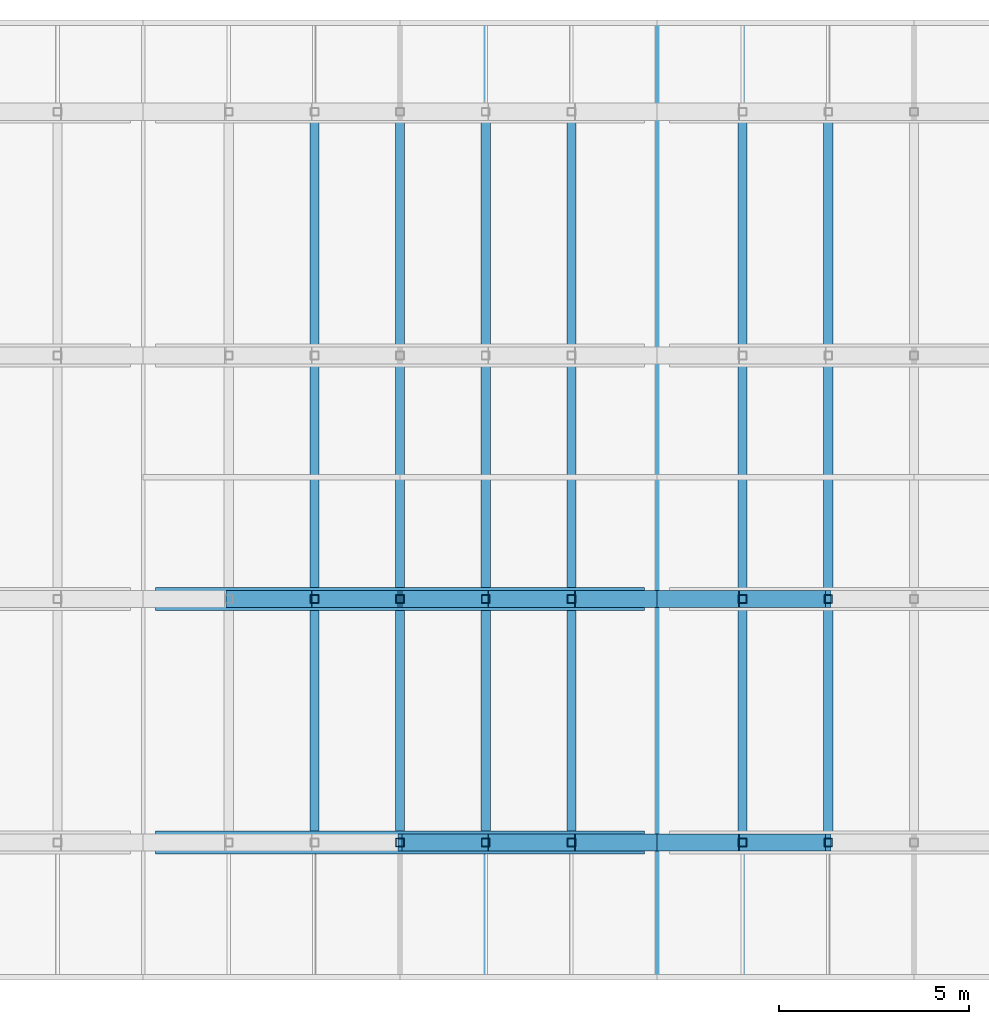
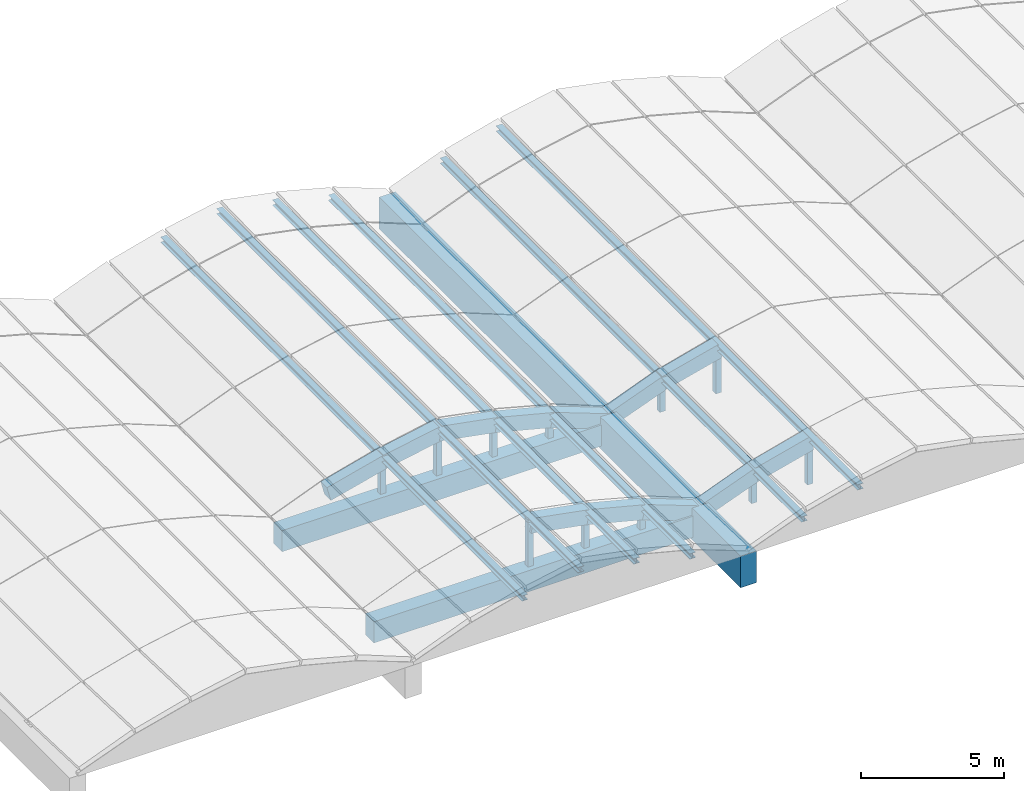
# One storey, part 2 of 15: 17 members, 15 beams.
"""IFC4 building model written with IfcOpenShell, lengths in metres."""

from ifc_helpers import new_model, si_unit, direction, frame, origin, origin_2d, place, context, subcontext, project, spatial, rectangle, hollow_rectangle, i_section, extrude, material, material_profile, profile_set, type_object, element, save


model = new_model("IFC4")

# Units and contexts
model_context = context("Model", 3, precision=1e-05, world=origin(), true_north=direction((0.0, 1.0)))
body_context = subcontext(model_context, "Body", "Model", "MODEL_VIEW")
ifc_project = project(units=[si_unit("LENGTHUNIT", "METRE"), si_unit("AREAUNIT", "SQUARE_METRE"), si_unit("VOLUMEUNIT", "CUBIC_METRE"), si_unit("PLANEANGLEUNIT", "RADIAN"), si_unit("MASSUNIT", "GRAM", prefix="KILO")], contexts=[model_context])

# Site, building, storey
site_placement = place(None, origin())
site = spatial("IfcSite", under=ifc_project, at=site_placement, CompositionType="ELEMENT")
building_placement = place(site_placement, origin())
building = spatial("IfcBuilding", under=site, at=building_placement, Name="Fikremerkos Civic Library", CompositionType="ELEMENT")
storey_placement = place(building_placement, frame((0.0, 0.0, 27.89990234375)))
storey = spatial("IfcBuildingStorey", under=building, at=storey_placement, Name="RF", CompositionType="ELEMENT", Elevation=27.89990234375)

# Members
ifc_material_1 = material(Name="Steel S355", Category="steel")
ifc_material_profile_1 = material_profile(ifc_material_1, hollow_rectangle(XDim=0.219970703125, YDim=0.219970703125, WallThickness=0.012451171875, at=origin_2d()), Name="SHS 220x220x12.5")
ifc_profile_set_1 = profile_set([ifc_material_profile_1], Name="Steel S355")
member_type_1 = type_object("IfcMemberType", Name="Frame post PST-04 SHS 220x220x12.5", PredefinedType="POST", material=ifc_profile_set_1)
member_1_placement = place(storey_placement, frame((39.449951171875, 12.0, -0.75), z_axis=(0.0, 0.0, 1.0), x_axis=(1.0, 0.0, 0.0)))
element("IfcMember", 1, at=member_1_placement, inside=storey, type_object=member_type_1, Name="Vault tied-arch web post PST-04 V2 R1.3", PredefinedType="POST", context=body_context, shape_type="SweptSolid", body=[
    extrude(hollow_rectangle(XDim=0.219970703125, YDim=0.219970703125, WallThickness=0.012451171875, at=origin_2d()), origin(), (0.0, 0.0, 1.0), 2.43408203125),
])
member_2_placement = place(storey_placement, frame((41.699951171875, 12.0, -0.75), z_axis=(0.0, 0.0, 1.0), x_axis=(1.0, 0.0, 0.0)))
element("IfcMember", 2, at=member_2_placement, inside=storey, type_object=member_type_1, Name="Vault tied-arch web post PST-04 V2 R1.4", PredefinedType="POST", context=body_context, shape_type="SweptSolid", body=[
    extrude(hollow_rectangle(XDim=0.219970703125, YDim=0.219970703125, WallThickness=0.012451171875, at=origin_2d()), origin(), (0.0, 0.0, 1.0), 2.01416015625),
])
member_3_placement = place(storey_placement, frame((43.949951171875, 12.0, -0.75), z_axis=(0.0, 0.0, 1.0), x_axis=(1.0, 0.0, 0.0)))
element("IfcMember", 3, at=member_3_placement, inside=storey, type_object=member_type_1, Name="Vault tied-arch web post PST-04 V2 R1.5", PredefinedType="POST", context=body_context, shape_type="SweptSolid", body=[
    extrude(hollow_rectangle(XDim=0.219970703125, YDim=0.219970703125, WallThickness=0.012451171875, at=origin_2d()), origin(), (0.0, 0.0, 1.0), 1.43603515625),
])
member_4_placement = place(storey_placement, frame((37.199951171875, 18.39990234375, -0.75), z_axis=(0.0, 0.0, 1.0), x_axis=(1.0, 0.0, 0.0)))
element("IfcMember", 4, at=member_4_placement, inside=storey, type_object=member_type_1, Name="Vault tied-arch web post PST-04 V2 R2.2", PredefinedType="POST", context=body_context, shape_type="SweptSolid", body=[
    extrude(hollow_rectangle(XDim=0.219970703125, YDim=0.219970703125, WallThickness=0.012451171875, at=origin_2d()), origin(), (0.0, 0.0, 1.0), 2.05419921875),
])
member_5_placement = place(storey_placement, frame((39.449951171875, 18.39990234375, -0.75), z_axis=(0.0, 0.0, 1.0), x_axis=(1.0, 0.0, 0.0)))
element("IfcMember", 5, at=member_5_placement, inside=storey, type_object=member_type_1, Name="Vault tied-arch web post PST-04 V2 R2.3", PredefinedType="POST", context=body_context, shape_type="SweptSolid", body=[
    extrude(hollow_rectangle(XDim=0.219970703125, YDim=0.219970703125, WallThickness=0.012451171875, at=origin_2d()), origin(), (0.0, 0.0, 1.0), 2.47412109375),
])
member_6_placement = place(storey_placement, frame((41.699951171875, 18.39990234375, -0.75), z_axis=(0.0, 0.0, 1.0), x_axis=(1.0, 0.0, 0.0)))
element("IfcMember", 6, at=member_6_placement, inside=storey, type_object=member_type_1, Name="Vault tied-arch web post PST-04 V2 R2.4", PredefinedType="POST", context=body_context, shape_type="SweptSolid", body=[
    extrude(hollow_rectangle(XDim=0.219970703125, YDim=0.219970703125, WallThickness=0.012451171875, at=origin_2d()), origin(), (0.0, 0.0, 1.0), 2.05419921875),
])
member_7_placement = place(storey_placement, frame((43.949951171875, 18.39990234375, -0.75), z_axis=(0.0, 0.0, 1.0), x_axis=(1.0, 0.0, 0.0)))
element("IfcMember", 7, at=member_7_placement, inside=storey, type_object=member_type_1, Name="Vault tied-arch web post PST-04 V2 R2.5", PredefinedType="POST", context=body_context, shape_type="SweptSolid", body=[
    extrude(hollow_rectangle(XDim=0.219970703125, YDim=0.219970703125, WallThickness=0.012451171875, at=origin_2d()), origin(), (0.0, 0.0, 1.0), 1.47607421875),
])
member_8_placement = place(storey_placement, frame((48.449951171875, 12.0, -0.75), z_axis=(0.0, 0.0, 1.0), x_axis=(1.0, 0.0, 0.0)))
element("IfcMember", 8, at=member_8_placement, inside=storey, type_object=member_type_1, Name="Vault tied-arch web post PST-04 V3 R1.1", PredefinedType="POST", context=body_context, shape_type="SweptSolid", body=[
    extrude(hollow_rectangle(XDim=0.219970703125, YDim=0.219970703125, WallThickness=0.012451171875, at=origin_2d()), origin(), (0.0, 0.0, 1.0), 1.43603515625),
])
member_9_placement = place(storey_placement, frame((50.699951171875, 12.0, -0.75), z_axis=(0.0, 0.0, 1.0), x_axis=(1.0, 0.0, 0.0)))
element("IfcMember", 9, at=member_9_placement, inside=storey, type_object=member_type_1, Name="Vault tied-arch web post PST-04 V3 R1.2", PredefinedType="POST", context=body_context, shape_type="SweptSolid", body=[
    extrude(hollow_rectangle(XDim=0.219970703125, YDim=0.219970703125, WallThickness=0.012451171875, at=origin_2d()), origin(), (0.0, 0.0, 1.0), 2.01416015625),
])
member_10_placement = place(storey_placement, frame((48.449951171875, 18.39990234375, -0.75), z_axis=(0.0, 0.0, 1.0), x_axis=(1.0, 0.0, 0.0)))
element("IfcMember", 10, at=member_10_placement, inside=storey, type_object=member_type_1, Name="Vault tied-arch web post PST-04 V3 R2.1", PredefinedType="POST", context=body_context, shape_type="SweptSolid", body=[
    extrude(hollow_rectangle(XDim=0.219970703125, YDim=0.219970703125, WallThickness=0.012451171875, at=origin_2d()), origin(), (0.0, 0.0, 1.0), 1.47607421875),
])
member_11_placement = place(storey_placement, frame((50.699951171875, 18.39990234375, -0.75), z_axis=(0.0, 0.0, 1.0), x_axis=(1.0, 0.0, 0.0)))
element("IfcMember", 11, at=member_11_placement, inside=storey, type_object=member_type_1, Name="Vault tied-arch web post PST-04 V3 R2.2", PredefinedType="POST", context=body_context, shape_type="SweptSolid", body=[
    extrude(hollow_rectangle(XDim=0.219970703125, YDim=0.219970703125, WallThickness=0.012451171875, at=origin_2d()), origin(), (0.0, 0.0, 1.0), 2.05419921875),
])

# Beams
ifc_material_2 = material(Name="Concrete C45/55", Category="concrete")
ifc_material_profile_2 = material_profile(ifc_material_2, rectangle(XDim=0.449951171875, YDim=0.6201171875, at=origin_2d()), Name="RC 450x620")
ifc_profile_set_2 = profile_set([ifc_material_profile_2], Name="Concrete C45/55")
beam_type_1 = type_object("IfcBeamType", Name="Primary girder vault arch rib BM-10 RC 450x620", PredefinedType="BEAM", material=ifc_profile_set_2)
beam_1_placement = place(storey_placement, frame((39.449951171875, 12.0, 1.494140625), z_axis=(0.983026405145, 0.0, -0.183464129432), x_axis=(0.0, 1.0, 0.0)))
element("IfcBeam", 12, at=beam_1_placement, inside=storey, type_object=beam_type_1, Name="Concrete vault arch rib BM-10 V2 R1.4", PredefinedType="BEAM", context=body_context, shape_type="SweptSolid", body=[
    extrude(rectangle(XDim=0.449951171875, YDim=0.6201171875, at=origin_2d()), origin(), (0.0, 0.0, 1.0), 2.288818359375),
])
beam_2_placement = place(storey_placement, frame((41.699951171875, 12.0, 1.07421875), z_axis=(0.968539266286, 0.0, -0.248860783698), x_axis=(0.0, 1.0, 0.0)))
element("IfcBeam", 13, at=beam_2_placement, inside=storey, type_object=beam_type_1, Name="Concrete vault arch rib BM-10 V2 R1.5", PredefinedType="BEAM", context=body_context, shape_type="SweptSolid", body=[
    extrude(rectangle(XDim=0.449951171875, YDim=0.6201171875, at=origin_2d()), origin(), (0.0, 0.0, 1.0), 2.322998046875),
])
beam_3_placement = place(storey_placement, frame((43.949951171875, 12.0, 0.49609375), z_axis=(0.936028311828, 0.0, -0.351924707084), x_axis=(0.0, 1.0, 0.0)))
element("IfcBeam", 14, at=beam_3_placement, inside=storey, type_object=beam_type_1, Name="Concrete vault arch rib BM-10 V2 R1.6", PredefinedType="BEAM", context=body_context, shape_type="SweptSolid", body=[
    extrude(rectangle(XDim=0.449951171875, YDim=0.6201171875, at=origin_2d()), origin(), (0.0, 0.0, 1.0), 2.40380859375),
])
beam_4_placement = place(storey_placement, frame((34.949951171875, 18.39990234375, 0.5361328125), z_axis=(0.968564592705, 0.0, 0.248762195197), x_axis=(0.0, 1.0, 0.0)))
element("IfcBeam", 15, at=beam_4_placement, inside=storey, type_object=beam_type_1, Name="Concrete vault arch rib BM-10 V2 R2.2", PredefinedType="BEAM", context=body_context, shape_type="SweptSolid", body=[
    extrude(rectangle(XDim=0.449951171875, YDim=0.6201171875, at=origin_2d()), origin(), (0.0, 0.0, 1.0), 2.322998046875),
])
for number, where, z_axis, x_axis, name in (
    (16, (37.199951171875, 18.39990234375, 1.114013671875), (0.983007163041, 0.0, 0.183567201345), (0.0, 1.0, 0.0), "Concrete vault arch rib BM-10 V2 R2.3"),
    (17, (39.449951171875, 18.39990234375, 1.5341796875), (0.983007163041, 0.0, -0.183567201345), (0.0, 1.0, 0.0), "Concrete vault arch rib BM-10 V2 R2.4"),
):
    element("IfcBeam", number, at=place(storey_placement, frame(where, z_axis=z_axis, x_axis=x_axis)), inside=storey, type_object=beam_type_1, Name=name, PredefinedType="BEAM", context=body_context, shape_type="SweptSolid", body=[
        extrude(rectangle(XDim=0.449951171875, YDim=0.6201171875, at=origin_2d()), origin(), (0.0, 0.0, 1.0), 2.288818359375),
    ])
beam_5_placement = place(storey_placement, frame((41.699951171875, 18.39990234375, 1.114013671875), z_axis=(0.968564592705, 0.0, -0.248762195197), x_axis=(0.0, 1.0, 0.0)))
element("IfcBeam", 18, at=beam_5_placement, inside=storey, type_object=beam_type_1, Name="Concrete vault arch rib BM-10 V2 R2.5", PredefinedType="BEAM", context=body_context, shape_type="SweptSolid", body=[
    extrude(rectangle(XDim=0.449951171875, YDim=0.6201171875, at=origin_2d()), origin(), (0.0, 0.0, 1.0), 2.322998046875),
])
for number, where, z_axis, x_axis, name in (
    (19, (43.949951171875, 18.39990234375, 0.5361328125), (0.936028311828, 0.0, -0.351924707084), (0.0, 1.0, 0.0), "Concrete vault arch rib BM-10 V2 R2.6"),
    (20, (46.199951171875, 12.0, -0.349853515625), (0.936028311828, 0.0, 0.351924707084), (0.0, 1.0, 0.0), "Concrete vault arch rib BM-10 V3 R1.1"),
):
    element("IfcBeam", number, at=place(storey_placement, frame(where, z_axis=z_axis, x_axis=x_axis)), inside=storey, type_object=beam_type_1, Name=name, PredefinedType="BEAM", context=body_context, shape_type="SweptSolid", body=[
        extrude(rectangle(XDim=0.449951171875, YDim=0.6201171875, at=origin_2d()), origin(), (0.0, 0.0, 1.0), 2.40380859375),
    ])
beam_6_placement = place(storey_placement, frame((48.449951171875, 12.0, 0.49609375), z_axis=(0.968539266286, 0.0, 0.248860783698), x_axis=(0.0, 1.0, 0.0)))
element("IfcBeam", 21, at=beam_6_placement, inside=storey, type_object=beam_type_1, Name="Concrete vault arch rib BM-10 V3 R1.2", PredefinedType="BEAM", context=body_context, shape_type="SweptSolid", body=[
    extrude(rectangle(XDim=0.449951171875, YDim=0.6201171875, at=origin_2d()), origin(), (0.0, 0.0, 1.0), 2.322998046875),
])
beam_7_placement = place(storey_placement, frame((46.199951171875, 18.39990234375, -0.309814453125), z_axis=(0.936028311828, 0.0, 0.351924707084), x_axis=(0.0, 1.0, 0.0)))
element("IfcBeam", 22, at=beam_7_placement, inside=storey, type_object=beam_type_1, Name="Concrete vault arch rib BM-10 V3 R2.1", PredefinedType="BEAM", context=body_context, shape_type="SweptSolid", body=[
    extrude(rectangle(XDim=0.449951171875, YDim=0.6201171875, at=origin_2d()), origin(), (0.0, 0.0, 1.0), 2.40380859375),
])
beam_8_placement = place(storey_placement, frame((48.449951171875, 18.39990234375, 0.5361328125), z_axis=(0.968564592705, 0.0, 0.248762195197), x_axis=(0.0, 1.0, 0.0)))
element("IfcBeam", 23, at=beam_8_placement, inside=storey, type_object=beam_type_1, Name="Concrete vault arch rib BM-10 V3 R2.2", PredefinedType="BEAM", context=body_context, shape_type="SweptSolid", body=[
    extrude(rectangle(XDim=0.449951171875, YDim=0.6201171875, at=origin_2d()), origin(), (0.0, 0.0, 1.0), 2.322998046875),
])
ifc_material_profile_3 = material_profile(ifc_material_2, rectangle(XDim=0.60009765625, YDim=0.89990234375, at=origin_2d()), Name="RC 600x900")
ifc_profile_set_3 = profile_set([ifc_material_profile_3], Name="Concrete C45/55")
beam_type_2 = type_object("IfcBeamType", Name="Primary girder vault tie ring BM-09 RC 600x900", PredefinedType="BEAM", material=ifc_profile_set_3)
for number, where, z_axis, x_axis, name in (
    (24, (33.02490234375, 12.0, -0.75), (1.0, 0.0, 0.0), (0.0, 1.0, 0.0), "Vault springing tie ring beam BM-09 V2 #1"),
    (25, (33.02490234375, 18.39990234375, -0.75), (1.0, 0.0, 0.0), (0.0, 1.0, 0.0), "Vault springing tie ring beam BM-09 V2 #2"),
):
    element("IfcBeam", number, at=place(storey_placement, frame(where, z_axis=z_axis, x_axis=x_axis)), inside=storey, type_object=beam_type_2, Name=name, PredefinedType="BEAM", context=body_context, shape_type="SweptSolid", body=[
        extrude(rectangle(XDim=0.60009765625, YDim=0.89990234375, at=origin_2d()), origin(), (0.0, 0.0, 1.0), 12.85009765625),
    ])

# Members
ifc_material_profile_4 = material_profile(ifc_material_1, i_section(OverallWidth=0.239990234375, OverallDepth=0.22998046875, WebThickness=0.007568359375, FlangeThickness=0.011962890625, FilletRadius=0.02099609375, at=origin_2d()), Name="HEA 240")
ifc_profile_set_4 = profile_set([ifc_material_profile_4], Name="Steel S355")
member_type_2 = type_object("IfcMemberType", Name="Roof purlin PUR-06 HEA 240", PredefinedType="PURLIN", material=ifc_profile_set_4)
for number, where, z_axis, x_axis, name in (
    (26, (37.199951171875, 8.39990234375, 1.26904296875), (0.0, 1.0, 0.0), (-1.0, 0.0, 0.0), "Vault fold-line purlin PUR-06 V2 #2"),
    (27, (39.449951171875, 8.39990234375, 1.689208984375), (0.0, 1.0, 0.0), (-1.0, 0.0, 0.0), "Vault fold-line purlin PUR-06 V2 #3"),
    (28, (41.699951171875, 8.39990234375, 1.26904296875), (0.0, 1.0, 0.0), (-1.0, 0.0, 0.0), "Vault fold-line purlin PUR-06 V2 #4"),
    (29, (43.949951171875, 8.39990234375, 0.691162109375), (0.0, 1.0, 0.0), (-1.0, 0.0, 0.0), "Vault fold-line purlin PUR-06 V2 #5"),
    (30, (48.449951171875, 8.39990234375, 0.691162109375), (0.0, 1.0, 0.0), (-1.0, 0.0, 0.0), "Vault fold-line purlin PUR-06 V3 #1"),
    (31, (50.699951171875, 8.39990234375, 1.26904296875), (0.0, 1.0, 0.0), (-1.0, 0.0, 0.0), "Vault fold-line purlin PUR-06 V3 #2"),
):
    element("IfcMember", number, at=place(storey_placement, frame(where, z_axis=z_axis, x_axis=x_axis)), inside=storey, type_object=member_type_2, Name=name, PredefinedType="PURLIN", context=body_context, shape_type="SweptSolid", body=[
        extrude(i_section(OverallWidth=0.239990234375, OverallDepth=0.22998046875, WebThickness=0.007568359375, FlangeThickness=0.011962890625, FilletRadius=0.02099609375, at=origin_2d()), origin(), (0.0, 0.0, 1.0), 25.2001953125),
    ])

# Beam
ifc_material_profile_5 = material_profile(ifc_material_2, rectangle(XDim=0.64990234375, YDim=1.35009765625, at=origin_2d()), Name="RC 650x1350")
ifc_profile_set_5 = profile_set([ifc_material_profile_5], Name="Concrete C45/55")
beam_type_3 = type_object("IfcBeamType", Name="Spandrel edge beam valley SPB-01 RC 650x1350", PredefinedType="SPANDREL", material=ifc_profile_set_5)
beam_9_placement = place(storey_placement, frame((46.199951171875, 8.39990234375, -0.6748046875), z_axis=(0.0, 1.0, 0.0), x_axis=(-1.0, 0.0, 0.0)))
element("IfcBeam", 32, at=beam_9_placement, inside=storey, type_object=beam_type_3, Name="Reading hall concrete valley edge beam SPB-01 #3", PredefinedType="SPANDREL", context=body_context, shape_type="SweptSolid", body=[
    extrude(rectangle(XDim=0.64990234375, YDim=1.35009765625, at=origin_2d()), origin(), (0.0, 0.0, 1.0), 25.2001953125),
])

save(model, "model.ifc")
